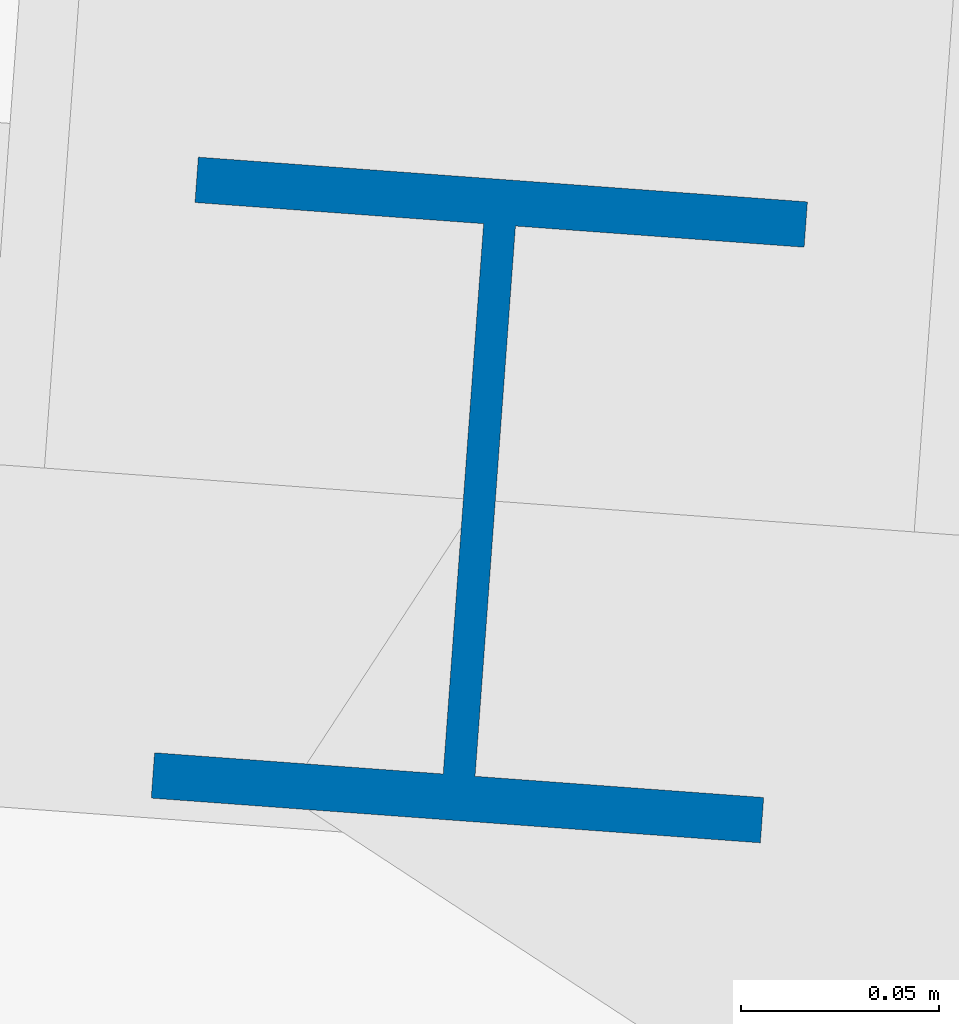
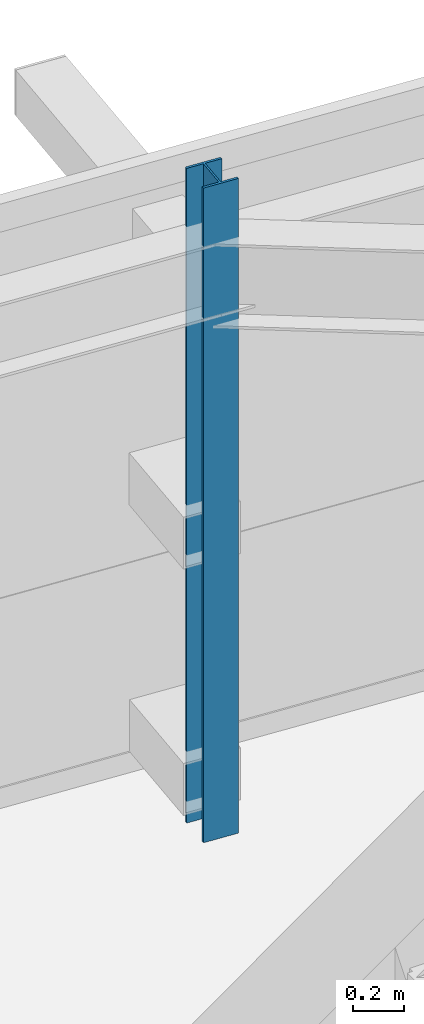
# One storey, part 8 of 40: 1 column.
"""IFC4 building model written with IfcOpenShell, lengths in metres."""

from ifc_helpers import new_model, si_unit, direction, frame, origin, origin_2d, place, context, subcontext, project, spatial, i_section, extrude, source, transform, mapped, material, material_profile, profile_set, type_object, element, save


model = new_model("IFC4")

# Units and contexts
model_context = context("Model", 3, precision=1e-05, world=origin(), true_north=direction((0.0, 1.0)))
body_context = subcontext(model_context, "Body", "Model", "MODEL_VIEW")
ifc_project = project(units=[si_unit("LENGTHUNIT", "METRE"), si_unit("AREAUNIT", "SQUARE_METRE"), si_unit("VOLUMEUNIT", "CUBIC_METRE"), si_unit("PLANEANGLEUNIT", "RADIAN"), si_unit("MASSUNIT", "GRAM", prefix="KILO")], contexts=[model_context])

# Site, building, storey
site_placement = place(None, origin())
site = spatial("IfcSite", under=ifc_project, at=site_placement, CompositionType="ELEMENT")
building_placement = place(site_placement, origin())
building = spatial("IfcBuilding", under=site, at=building_placement, Name="Taldren Reach Tower", CompositionType="ELEMENT")
storey_placement = place(building_placement, frame((0.0, 0.0, 233.449951171875)))
storey = spatial("IfcBuildingStorey", under=building, at=storey_placement, Name="L71", CompositionType="ELEMENT", Elevation=233.449951171875)

# Column
ifc_material = material(Name="Steel Gr 350 (350PLUS)", Category="steel")
ifc_material_profile = material_profile(ifc_material, i_section(OverallWidth=0.154052734375, OverallDepth=0.162109375, WebThickness=0.008056640625, FlangeThickness=0.011474609375, at=origin_2d()), Name="150UC37.2")
ifc_profile_set = profile_set([ifc_material_profile], Name="Steel Gr 350 (350PLUS)")
column_type = type_object("IfcColumnType", Name="COL-UC150", PredefinedType="COLUMN", material=ifc_profile_set)
shared_shape = source(origin(), body_context, "Body", "SweptSolid", [
    extrude(i_section(OverallWidth=0.154052734375, OverallDepth=0.162109375, WebThickness=0.008056640625, FlangeThickness=0.011474609375, at=origin_2d()), origin(), (0.0, 0.0, 1.0), 3.150146484375),
])
column_placement = place(storey_placement, frame((47.199462890625, 34.487548828125, 0.0), z_axis=(0.0, 0.0, 1.0), x_axis=(0.997314477224, -0.073238197128, 0.0)))
element("IfcColumn", 1, at=column_placement, inside=storey, type_object=column_type, Name="Block B5 perimeter column N5 L71", PredefinedType="COLUMN", context=body_context, shape_type="MappedRepresentation", body=[
    mapped(shared_shape, transform((0.0, 0.0, 0.0), scale=1.0)),
])

save(model, "model.ifc")
